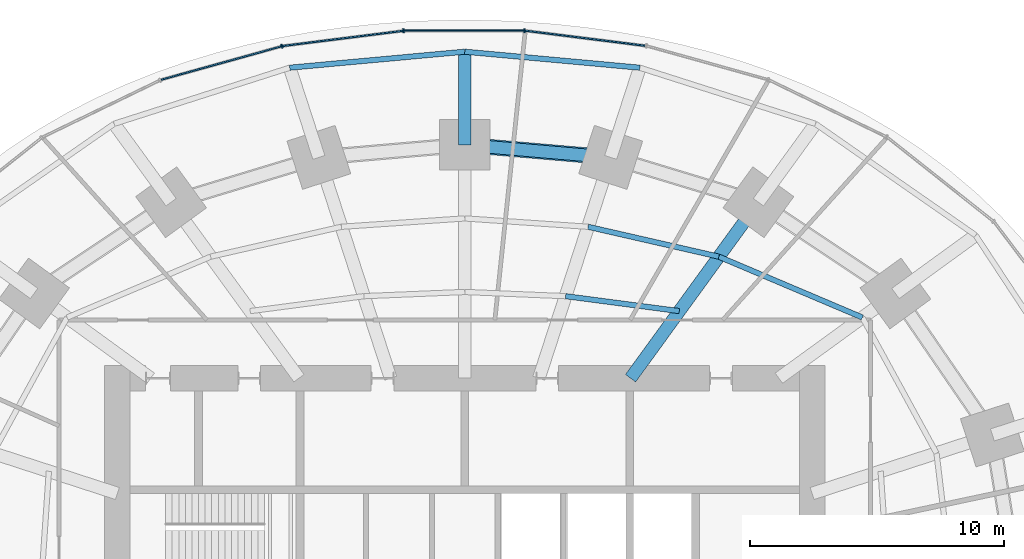
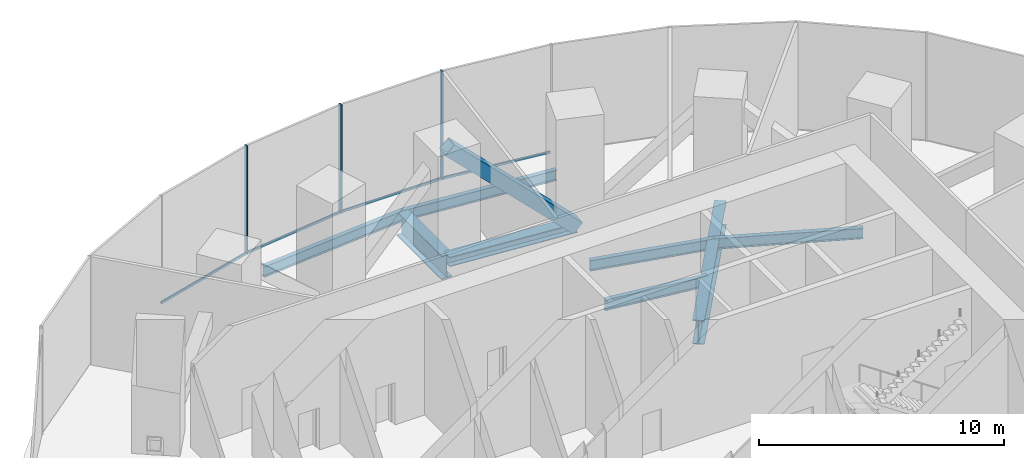
# One storey, part 8 of 13: 9 members, 7 beams, 1 element without a shape of its own.
"""IFC4 building model written with IfcOpenShell, lengths in metres."""

from ifc_helpers import new_model, si_unit, direction, frame, origin, origin_2d, place, context, subcontext, project, spatial, rectangle, hollow_rectangle, i_section, extrude, material, material_profile, profile_set, type_object, element, aggregate, save


model = new_model("IFC4")

# Units and contexts
model_context = context("Model", 3, precision=1e-05, world=origin(), true_north=direction((0.0, 1.0)))
body_context = subcontext(model_context, "Body", "Model", "MODEL_VIEW")
ifc_project = project(units=[si_unit("LENGTHUNIT", "METRE"), si_unit("AREAUNIT", "SQUARE_METRE"), si_unit("VOLUMEUNIT", "CUBIC_METRE"), si_unit("PLANEANGLEUNIT", "RADIAN"), si_unit("MASSUNIT", "GRAM", prefix="KILO")], contexts=[model_context])

# Site, building, storey
site_placement = place(None, origin())
site = spatial("IfcSite", under=ifc_project, at=site_placement, CompositionType="ELEMENT")
building_placement = place(site_placement, origin())
building = spatial("IfcBuilding", under=site, at=building_placement, Name="Marramba Exchange Tower", CompositionType="ELEMENT")
storey_placement = place(building_placement, frame((0.0, 0.0, 86.800048828125)))
storey = spatial("IfcBuildingStorey", under=building, at=storey_placement, Name="L20", CompositionType="ELEMENT", Elevation=86.800048828125)

# Members
ifc_material_1 = material(Name="Steel AS/NZS 3679.2 grade 300", Category="steel")
ifc_material_profile_1 = material_profile(ifc_material_1, i_section(OverallWidth=0.5, OverallDepth=0.47998046875, WebThickness=0.0400390625, FlangeThickness=0.0400390625, at=origin_2d()), Name="500WC440")
ifc_profile_set_1 = profile_set([ifc_material_profile_1], Name="Steel AS/NZS 3679.2 grade 300")
member_type_1 = type_object("IfcMemberType", Name="Belt truss chord 500WC440", PredefinedType="CHORD", material=ifc_profile_set_1)
member_1_placement = place(storey_placement, frame((5.75390625, 17.70849609375, -0.43994140625), z_axis=(-0.996311003275, 0.085815993578, 0.0), x_axis=(-0.085815993578, -0.996311003275, 0.0)))
element("IfcMember", 1, at=member_1_placement, inside=storey, type_object=member_type_1, Name="Belt chord L20 TC05-TC06", PredefinedType="CHORD", context=body_context, shape_type="SweptSolid", body=[
    extrude(i_section(OverallWidth=0.5, OverallDepth=0.47998046875, WebThickness=0.0400390625, FlangeThickness=0.0400390625, at=origin_2d()), origin(), (0.0, 0.0, 1.0), 5.775146484375),
])
ifc_material_2 = material(Name="Steel AS/NZS 3678 grade 350", Category="steel")
ifc_material_profile_2 = material_profile(ifc_material_2, hollow_rectangle(XDim=0.60009765625, YDim=0.60009765625, WallThickness=0.0400390625, at=origin_2d()), Name="600x600x40BOX")
ifc_profile_set_2 = profile_set([ifc_material_profile_2], Name="Steel AS/NZS 3678 grade 350")
member_type_2 = type_object("IfcMemberType", Name="Belt truss diagonal 600x600x40BOX", PredefinedType="BRACE", material=ifc_profile_set_2)
member_2_placement = place(storey_placement, frame((5.75390625, 17.70849609375, -0.43994140625), z_axis=(-0.715273791372, 0.061609207251, 0.696123343207), x_axis=(-0.085815993578, -0.996311003275, 0.0)))
element("IfcMember", 2, at=member_2_placement, inside=storey, type_object=member_type_2, Name="Belt truss BT20 diagonal 05", PredefinedType="BRACE", context=body_context, shape_type="SweptSolid", body=[
    extrude(hollow_rectangle(XDim=0.60009765625, YDim=0.60009765625, WallThickness=0.0400390625, at=origin_2d()), origin(), (0.0, 0.0, 1.0), 8.04443359375),
])

# Beams
ifc_material_profile_3 = material_profile(ifc_material_1, i_section(OverallWidth=0.5, OverallDepth=1.199951171875, WebThickness=0.01611328125, FlangeThickness=0.0400390625, at=origin_2d()), Name="1200WB455")
ifc_profile_set_3 = profile_set([ifc_material_profile_3], Name="Steel AS/NZS 3679.2 grade 300")
beam_type_1 = type_object("IfcBeamType", Name="Cantilever girder 1200WB455", PredefinedType="BEAM", material=ifc_profile_set_3)
beam_1_placement = place(storey_placement, frame((0.0, 18.2041015625, -0.800048828125), z_axis=(0.0, 1.0, 0.0), x_axis=(-1.0, 0.0, 0.0)))
element("IfcBeam", 3, at=beam_1_placement, inside=storey, type_object=beam_type_1, Name="Cantilever girder L20 TC06", PredefinedType="BEAM", context=body_context, shape_type="SweptSolid", body=[
    extrude(i_section(OverallWidth=0.5, OverallDepth=1.199951171875, WebThickness=0.01611328125, FlangeThickness=0.0400390625, at=origin_2d()), origin(), (0.0, 0.0, 1.0), 3.673828125),
])
ifc_material_3 = material(Name="Steel AS/NZS 3679.1 grade 300", Category="steel")
ifc_material_profile_4 = material_profile(ifc_material_3, i_section(OverallWidth=0.208984375, OverallDepth=0.532958984375, WebThickness=0.01025390625, FlangeThickness=0.015625, FilletRadius=0.013916015625, at=origin_2d()), Name="530UB92.4")
ifc_profile_set_4 = profile_set([ifc_material_profile_4], Name="Steel AS/NZS 3679.1 grade 300")
beam_type_2 = type_object("IfcBeamType", Name="Floor joist 530UB92.4", PredefinedType="JOIST", material=ifc_profile_set_4)
beam_2_placement = place(storey_placement, frame((15.682373046875, 11.393798828125, -0.466552734375), z_axis=(-0.920674336375, 0.390331610738, 0.0), x_axis=(-0.390331610738, -0.920674336375, 0.0)))
element("IfcBeam", 4, at=beam_2_placement, inside=storey, type_object=beam_type_2, Name="Joist L20 bay 03 row 2", PredefinedType="JOIST", context=body_context, shape_type="SweptSolid", body=[
    extrude(i_section(OverallWidth=0.208984375, OverallDepth=0.532958984375, WebThickness=0.01025390625, FlangeThickness=0.015625, FilletRadius=0.013916015625, at=origin_2d()), origin(), (0.0, 0.0, 1.0), 6.1484375),
])
beam_3_placement = place(storey_placement, frame((8.4619140625, 11.646728515625, -0.466552734375), z_axis=(-0.991480538255, 0.130254912618, 0.0), x_axis=(-0.130254912618, -0.991480538255, 0.0)))
element("IfcBeam", 5, at=beam_3_placement, inside=storey, type_object=beam_type_2, Name="Joist L20 bay 04 row 1", PredefinedType="JOIST", context=body_context, shape_type="SweptSolid", body=[
    extrude(i_section(OverallWidth=0.208984375, OverallDepth=0.532958984375, WebThickness=0.01025390625, FlangeThickness=0.015625, FilletRadius=0.013916015625, at=origin_2d()), origin(), (0.0, 0.0, 1.0), 4.524658203125),
])
beam_4_placement = place(storey_placement, frame((10.021728515625, 13.793701171875, -0.466552734375), z_axis=(-0.974859652292, 0.222819788916, 0.0), x_axis=(-0.222819788916, -0.974859652292, 0.0)))
element("IfcBeam", 6, at=beam_4_placement, inside=storey, type_object=beam_type_2, Name="Joist L20 bay 04 row 2", PredefinedType="JOIST", context=body_context, shape_type="SweptSolid", body=[
    extrude(i_section(OverallWidth=0.208984375, OverallDepth=0.532958984375, WebThickness=0.01025390625, FlangeThickness=0.015625, FilletRadius=0.013916015625, at=origin_2d()), origin(), (0.0, 0.0, 1.0), 5.2900390625),
])

# Curtain wall, members
ifc_material_4 = material(Name="Aluminium framing, bronze anodised", Category="aluminium")
curtain_wall_type = type_object("IfcCurtainWallType", Name="Plant floor louvred curtain wall", PredefinedType="USERDEFINED", material=ifc_material_4)
curtain_wall_placement = place(storey_placement, origin())
curtain_wall = element("IfcCurtainWall", 7, at=curtain_wall_placement, inside=storey, type_object=curtain_wall_type, Name="Curtain wall CW6 L20 F06-F10", ObjectType="RIBBON CURTAIN WALL", PredefinedType="USERDEFINED")
ifc_material_5 = material(Name="Aluminium mullion, bronze anodised", Category="aluminium")
ifc_material_profile_5 = material_profile(ifc_material_5, rectangle(XDim=0.159912109375, YDim=0.06005859375, at=origin_2d()), Name="CW6 mullion 60x160")
ifc_profile_set_5 = profile_set([ifc_material_profile_5], Name="Aluminium mullion, bronze anodised")
member_type_3 = type_object("IfcMemberType", Name="Plant floor louvred curtain wall mullion", PredefinedType="MULLION", material=ifc_profile_set_5)
member_3_placement = place(storey_placement, frame((2.3564453125, 22.7060546875, 0.0), z_axis=(0.0, 0.0, 1.0), x_axis=(0.0, -1.0, 0.0)))
member_3 = element("IfcMember", 8, at=member_3_placement, type_object=member_type_3, Name="CW6 mullion 1", PredefinedType="MULLION", context=body_context, shape_type="SweptSolid", body=[
    extrude(rectangle(XDim=0.159912109375, YDim=0.06005859375, at=origin_2d()), origin(), (0.0, 0.0, 1.0), 5.39990234375),
])
member_4_placement = place(storey_placement, frame((-2.416259765625, 22.7021484375, 0.0), z_axis=(0.0, 0.0, 1.0), x_axis=(0.124872723099, -0.992172768738, 0.0)))
member_4 = element("IfcMember", 9, at=member_4_placement, type_object=member_type_3, Name="CW6 mullion 1", PredefinedType="MULLION", context=body_context, shape_type="SweptSolid", body=[
    extrude(rectangle(XDim=0.159912109375, YDim=0.06005859375, at=origin_2d()), origin(), (0.0, 0.0, 1.0), 5.39990234375),
])
member_5_placement = place(storey_placement, frame((-7.21044921875, 22.094482421875, 0.0), z_axis=(0.0, 0.0, 1.0), x_axis=(0.267808735815, -0.963472096649, 0.0)))
member_5 = element("IfcMember", 10, at=member_5_placement, type_object=member_type_3, Name="CW6 mullion 1", PredefinedType="MULLION", context=body_context, shape_type="SweptSolid", body=[
    extrude(rectangle(XDim=0.159912109375, YDim=0.06005859375, at=origin_2d()), origin(), (0.0, 0.0, 1.0), 5.39990234375),
])
ifc_material_6 = material(Name="Aluminium transom, bronze anodised", Category="aluminium")
ifc_material_profile_6 = material_profile(ifc_material_6, rectangle(XDim=0.06005859375, YDim=0.1201171875, at=origin_2d()), Name="CW6 transom 60x120")
ifc_profile_set_6 = profile_set([ifc_material_profile_6], Name="Aluminium transom, bronze anodised")
member_type_4 = type_object("IfcMemberType", Name="Plant floor louvred curtain wall transom", PredefinedType="USERDEFINED", material=ifc_profile_set_6)
member_6_placement = place(storey_placement, frame((7.1220703125, 22.10986328125, 0.030029296875), z_axis=(-0.99216810728, 0.124909755012, 0.0), x_axis=(-0.124909755012, -0.99216810728, 0.0)))
member_6 = element("IfcMember", 11, at=member_6_placement, type_object=member_type_4, Name="CW6 sill transom", ObjectType="TRANSOM", PredefinedType="USERDEFINED", context=body_context, shape_type="SweptSolid", body=[
    extrude(rectangle(XDim=0.06005859375, YDim=0.1201171875, at=origin_2d()), origin(), (0.0, 0.0, 1.0), 4.77294921875),
])
member_7_placement = place(storey_placement, frame((2.326416015625, 22.7060546875, 0.030029296875), z_axis=(-1.0, 0.0, 0.0), x_axis=(0.0, -1.0, 0.0)))
member_7 = element("IfcMember", 12, at=member_7_placement, type_object=member_type_4, Name="CW6 sill transom", ObjectType="TRANSOM", PredefinedType="USERDEFINED", context=body_context, shape_type="SweptSolid", body=[
    extrude(rectangle(XDim=0.06005859375, YDim=0.1201171875, at=origin_2d()), origin(), (0.0, 0.0, 1.0), 4.712890625),
])
member_8_placement = place(storey_placement, frame((-2.446044921875, 22.698486328125, 0.030029296875), z_axis=(-0.992174445211, -0.124859402009, 0.0), x_axis=(0.124859402009, -0.992174445211, 0.0)))
member_8 = element("IfcMember", 13, at=member_8_placement, type_object=member_type_4, Name="CW6 sill transom", ObjectType="TRANSOM", PredefinedType="USERDEFINED", context=body_context, shape_type="SweptSolid", body=[
    extrude(rectangle(XDim=0.06005859375, YDim=0.1201171875, at=origin_2d()), origin(), (0.0, 0.0, 1.0), 4.77294921875),
])
member_9_placement = place(storey_placement, frame((-7.2392578125, 22.08642578125, 0.030029296875), z_axis=(-0.963472490071, -0.267807320431, 0.0), x_axis=(0.267807320431, -0.963472490071, 0.0)))
member_9 = element("IfcMember", 14, at=member_9_placement, type_object=member_type_4, Name="CW6 sill transom", ObjectType="TRANSOM", PredefinedType="USERDEFINED", context=body_context, shape_type="SweptSolid", body=[
    extrude(rectangle(XDim=0.06005859375, YDim=0.1201171875, at=origin_2d()), origin(), (0.0, 0.0, 1.0), 4.93017578125),
])
aggregate(curtain_wall, [member_6, member_3, member_7, member_4, member_8, member_5, member_9])

# Beams
ifc_material_profile_7 = material_profile(ifc_material_1, i_section(OverallWidth=0.5, OverallDepth=1.199951171875, WebThickness=0.01611328125, FlangeThickness=0.0400390625, at=origin_2d()), Name="1200WB455")
ifc_profile_set_7 = profile_set([ifc_material_profile_7], Name="Steel AS/NZS 3679.2 grade 300")
beam_type_3 = type_object("IfcBeamType", Name="Radial girder 1200WB455", PredefinedType="BEAM", material=ifc_profile_set_7)
beam_5_placement = place(storey_placement, frame((6.538818359375, 9.0, -0.800048828125), z_axis=(0.587782439969, 0.80901903764, 0.0), x_axis=(-0.80901903764, 0.587782439969, 0.0)))
element("IfcBeam", 15, at=beam_5_placement, inside=storey, type_object=beam_type_3, Name="Radial girder L20 TC04", PredefinedType="BEAM", context=body_context, shape_type="SweptSolid", body=[
    extrude(i_section(OverallWidth=0.5, OverallDepth=1.199951171875, WebThickness=0.01611328125, FlangeThickness=0.0400390625, at=origin_2d()), origin(), (0.0, 0.0, 1.0), 8.578857421875),
])
ifc_material_profile_8 = material_profile(ifc_material_3, i_section(OverallWidth=0.208984375, OverallDepth=0.528076171875, WebThickness=0.009521484375, FlangeThickness=0.01318359375, FilletRadius=0.013916015625, at=origin_2d()), Name="530UB82.0")
ifc_profile_set_8 = profile_set([ifc_material_profile_8], Name="Steel AS/NZS 3679.1 grade 300")
beam_type_4 = type_object("IfcBeamType", Name="Slab edge beam 530UB82.0", PredefinedType="SPANDREL", material=ifc_profile_set_8)
for number, where, z_axis, x_axis, name in (
    (16, (6.9033203125, 21.24658203125, -0.464111328125), (-0.995843984921, 0.091075560369, 0.0), (-0.091075560369, -0.995843984921, 0.0), "Slab edge beam L20 TC05-TC06"),
    (17, (0.0, 21.8779296875, -0.464111328125), (-0.995843984921, -0.091075560369, 0.0), (0.091075560369, -0.995843984921, 0.0), "Slab edge beam L20 TC06-TC07"),
):
    element("IfcBeam", number, at=place(storey_placement, frame(where, z_axis=z_axis, x_axis=x_axis)), inside=storey, type_object=beam_type_4, Name=name, PredefinedType="SPANDREL", context=body_context, shape_type="SweptSolid", body=[
        extrude(i_section(OverallWidth=0.208984375, OverallDepth=0.528076171875, WebThickness=0.009521484375, FlangeThickness=0.01318359375, FilletRadius=0.013916015625, at=origin_2d()), origin(), (0.0, 0.0, 1.0), 6.93212890625),
    ])

save(model, "model.ifc")
